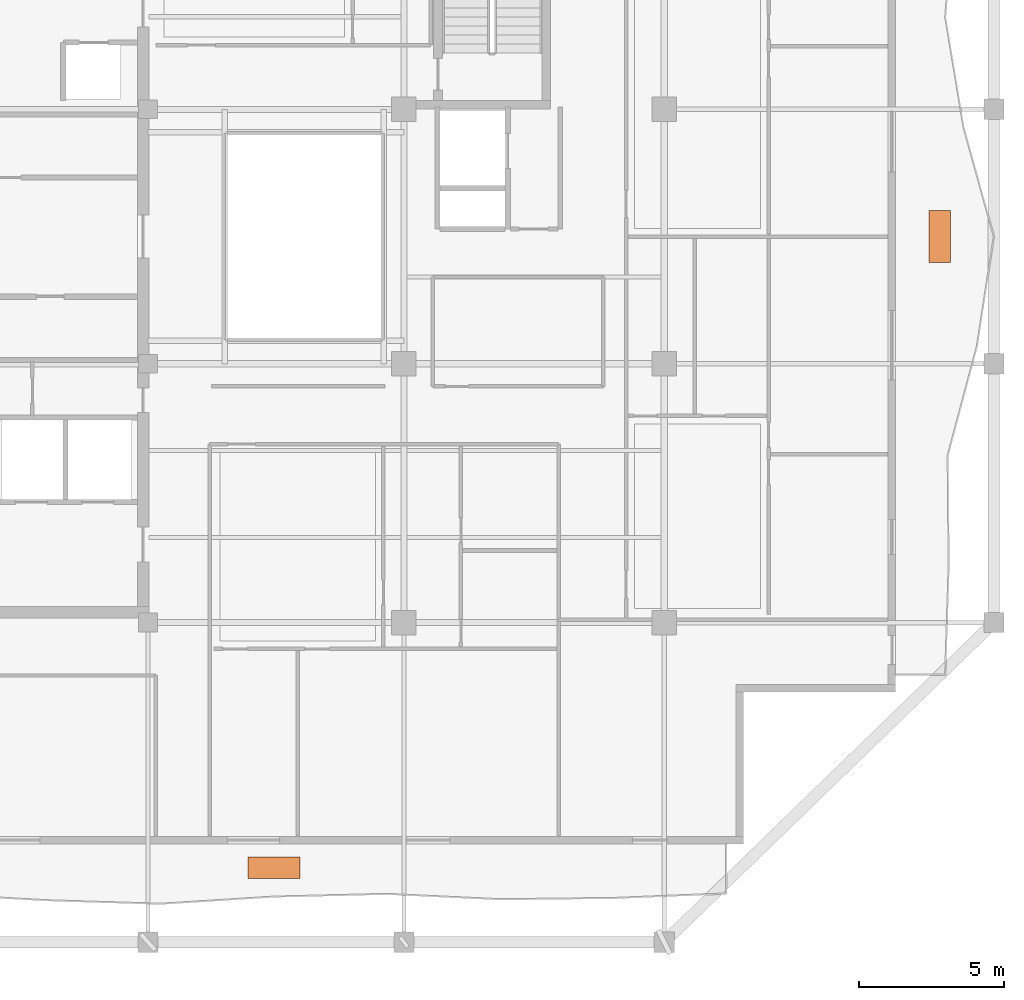
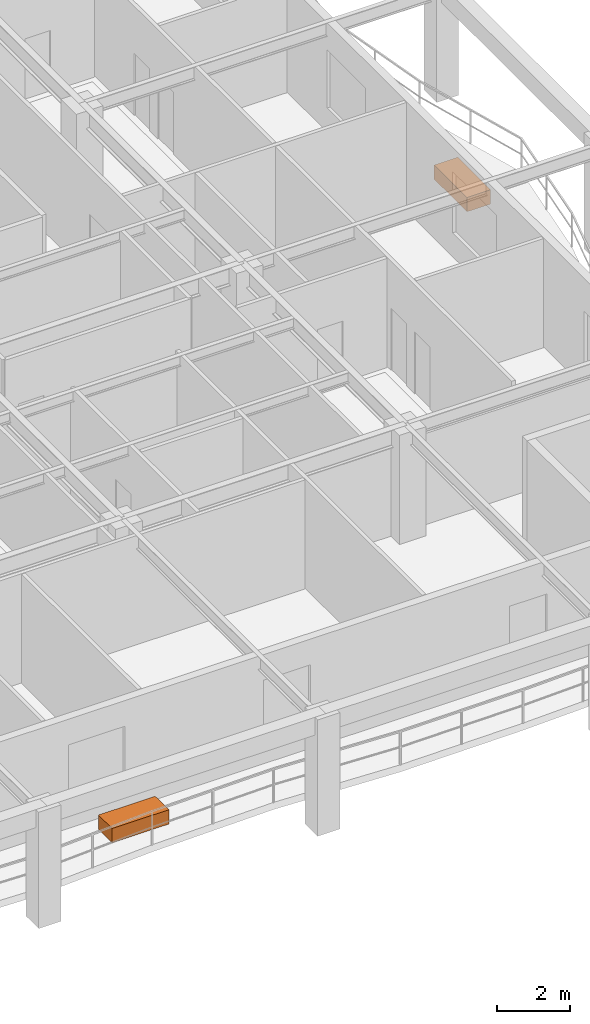
# One storey, part 11 of 11: 2 proxies.
"""IFC4 building model written with IfcOpenShell, lengths in metres."""

from ifc_helpers import new_model, si_unit, direction, frame, origin, origin_2d, place, context, subcontext, project, spatial, rectangle, extrude, material, type_object, element, save


model = new_model("IFC4")

# Units and contexts
model_context = context("Model", 3, precision=1e-05, world=origin(), true_north=direction((0.0, 1.0)))
body_context = subcontext(model_context, "Body", "Model", "MODEL_VIEW")
ifc_project = project(units=[si_unit("LENGTHUNIT", "METRE"), si_unit("AREAUNIT", "SQUARE_METRE"), si_unit("VOLUMEUNIT", "CUBIC_METRE"), si_unit("PLANEANGLEUNIT", "RADIAN"), si_unit("MASSUNIT", "GRAM", prefix="KILO")], contexts=[model_context])

# Site, building, storey
site_placement = place(None, origin())
site = spatial("IfcSite", under=ifc_project, at=site_placement, CompositionType="ELEMENT")
building_placement = place(site_placement, origin())
building = spatial("IfcBuilding", under=site, at=building_placement, Name="Kundavana Baori Tower", CompositionType="ELEMENT")
storey_placement = place(building_placement, frame((0.0, 0.0, 218.0)))
storey = spatial("IfcBuildingStorey", under=building, at=storey_placement, Name="L53", CompositionType="ELEMENT", Elevation=218.0)

# Proxies
ifc_material = material(Name="Red-Buff Dholpur Sandstone Cladding on Concrete C40/50", Category="masonry")
building_element_proxy_type = type_object("IfcBuildingElementProxyType", Name="PRX-PLANTER-1800", PredefinedType="USERDEFINED", material=ifc_material)
for number, where, z_axis, x_axis, name in (
    (1, (29.300048828125, 6.77587890625, 0.0), (0.0, 0.0, 1.0), (1.0, 0.0, 0.0), "L53 Dholpur Stone Structural Tree Planter S"),
    (2, (52.330078125, 28.60009765625, 0.0), (0.0, 0.0, 1.0), (0.0, 1.0, 0.0), "L53 Dholpur Stone Structural Tree Planter E"),
):
    element("IfcBuildingElementProxy", number, at=place(storey_placement, frame(where, z_axis=z_axis, x_axis=x_axis)), inside=storey, type_object=building_element_proxy_type, Name=name, ObjectType="PLANTER", PredefinedType="USERDEFINED", context=body_context, shape_type="SweptSolid", body=[
        extrude(rectangle(XDim=1.800048828125, YDim=0.75, at=origin_2d()), origin(), (0.0, 0.0, 1.0), 0.47998046875),
    ])

save(model, "model.ifc")
